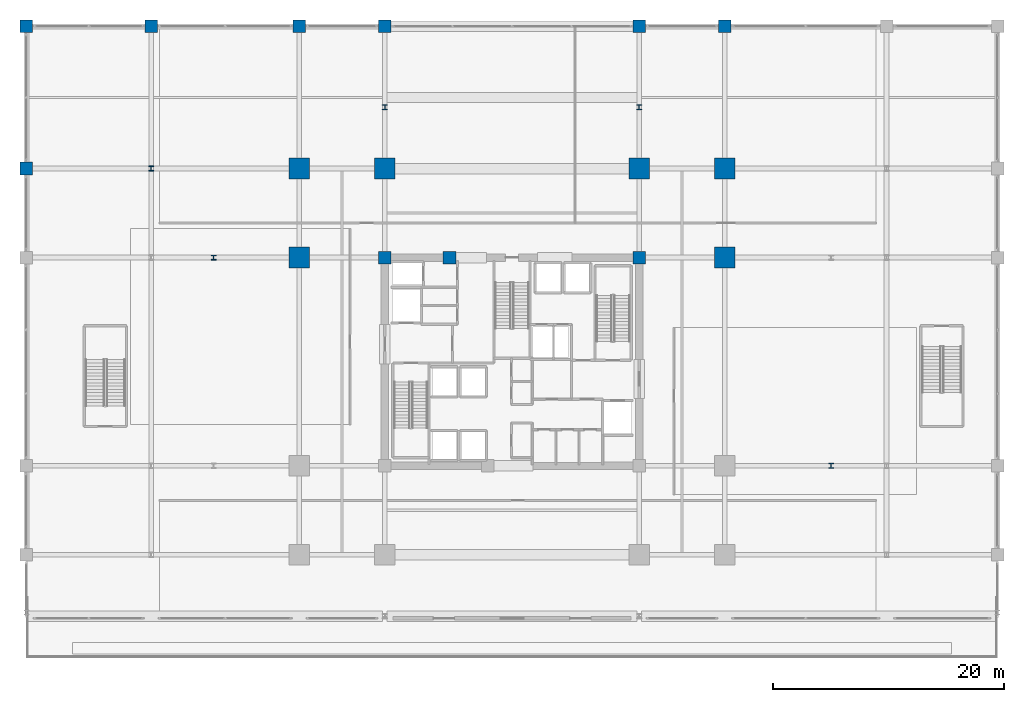
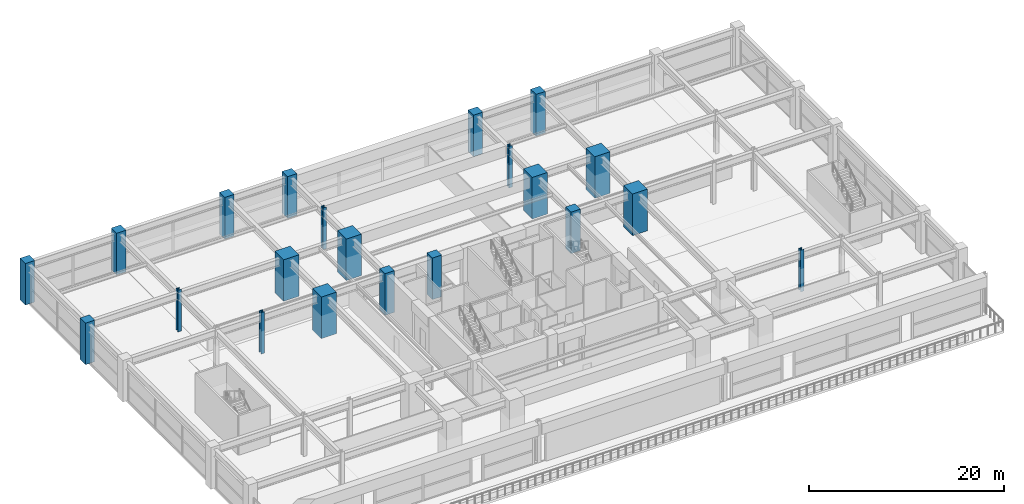
# One storey, part 2 of 43: 21 columns.
"""IFC4 building model written with IfcOpenShell, lengths in metres."""

from ifc_helpers import new_model, si_unit, direction, frame, origin, origin_2d, place, context, subcontext, project, spatial, rectangle, i_section, extrude, material, material_profile, profile_set, type_object, element, save


model = new_model("IFC4")

# Units and contexts
model_context = context("Model", 3, precision=1e-05, world=origin(), true_north=direction((0.0, 1.0)))
body_context = subcontext(model_context, "Body", "Model", "MODEL_VIEW")
ifc_project = project(units=[si_unit("LENGTHUNIT", "METRE"), si_unit("AREAUNIT", "SQUARE_METRE"), si_unit("VOLUMEUNIT", "CUBIC_METRE"), si_unit("PLANEANGLEUNIT", "RADIAN"), si_unit("MASSUNIT", "GRAM", prefix="KILO")], contexts=[model_context])

# Site, building, storey
site_placement = place(None, origin())
site = spatial("IfcSite", under=ifc_project, at=site_placement, CompositionType="ELEMENT")
building_placement = place(site_placement, origin())
building = spatial("IfcBuilding", under=site, at=building_placement, Name="Kovane Verandah Tower", CompositionType="ELEMENT")
storey_placement = place(building_placement, frame((0.0, 0.0, 11.199951171875)))
storey = spatial("IfcBuildingStorey", under=building, at=storey_placement, Name="L02", CompositionType="ELEMENT", Elevation=11.199951171875)

# Columns
ifc_material_1 = material(Name="Concrete C60/75", Category="concrete")
ifc_material_profile_1 = material_profile(ifc_material_1, rectangle(XDim=1.10009765625, YDim=1.10009765625, at=origin_2d()), Name="RC1100x1100")
ifc_profile_set_1 = profile_set([ifc_material_profile_1], Name="Concrete C60/75")
column_type_1 = type_object("IfcColumnType", Name="COL-POD1100", PredefinedType="COLUMN", material=ifc_profile_set_1)
for number, where, z_axis, x_axis, name in (
    (1, (-2.0, 44.199951171875, 0.0), (0.0, 0.0, 1.0), (1.0, 0.0, 0.0), "L02 Podium Column PC-W4"),
    (2, (-2.0, 56.5, 0.0), (0.0, 0.0, 1.0), (1.0, 0.0, 0.0), "L02 Podium Column PC-W5"),
    (3, (8.800048828125, 56.5, 0.0), (0.0, 0.0, 1.0), (1.0, 0.0, 0.0), "L02 Podium Column PC-N1"),
    (4, (21.60009765625, 56.5, 0.0), (0.0, 0.0, 1.0), (1.0, 0.0, 0.0), "L02 Podium Column PC-N2"),
    (5, (29.0, 56.5, 0.0), (0.0, 0.0, 1.0), (1.0, 0.0, 0.0), "L02 Podium Column PC-N3"),
    (6, (51.0, 56.5, 0.0), (0.0, 0.0, 1.0), (1.0, 0.0, 0.0), "L02 Podium Column PC-N4"),
    (7, (58.39990234375, 56.5, 0.0), (0.0, 0.0, 1.0), (1.0, 0.0, 0.0), "L02 Podium Column PC-N5"),
):
    element("IfcColumn", number, at=place(storey_placement, frame(where, z_axis=z_axis, x_axis=x_axis)), inside=storey, type_object=column_type_1, Name=name, PredefinedType="COLUMN", context=body_context, shape_type="SweptSolid", body=[
        extrude(rectangle(XDim=1.10009765625, YDim=1.10009765625, at=origin_2d()), origin(), (0.0, 0.0, 1.0), 5.199951171875),
    ])
ifc_material_2 = material(Name="Concrete C80/95", Category="concrete")
ifc_material_profile_2 = material_profile(ifc_material_2, rectangle(XDim=1.800048828125, YDim=1.800048828125, at=origin_2d()), Name="RC1800x1800")
ifc_profile_set_2 = profile_set([ifc_material_profile_2], Name="Concrete C80/95")
column_type_2 = type_object("IfcColumnType", Name="COL-RC1800", PredefinedType="COLUMN", material=ifc_profile_set_2)
for number, where, z_axis, x_axis, name in (
    (8, (29.0, 44.199951171875, 0.0), (0.0, 0.0, 1.0), (1.0, 0.0, 0.0), "L02 Tower Mega-Column MC-N1"),
    (9, (51.0, 44.199951171875, 0.0), (0.0, 0.0, 1.0), (1.0, 0.0, 0.0), "L02 Tower Mega-Column MC-N2"),
    (10, (21.60009765625, 36.5, 0.0), (0.0, 0.0, 1.0), (1.0, 0.0, 0.0), "L02 Tower Mega-Column MC-W2"),
    (11, (58.39990234375, 36.5, 0.0), (0.0, 0.0, 1.0), (1.0, 0.0, 0.0), "L02 Tower Mega-Column MC-E2"),
    (12, (21.60009765625, 44.199951171875, 0.0), (0.0, 0.0, 1.0), (1.0, 0.0, 0.0), "L02 Tower Mega-Column MC-NW"),
    (13, (58.39990234375, 44.199951171875, 0.0), (0.0, 0.0, 1.0), (1.0, 0.0, 0.0), "L02 Tower Mega-Column MC-NE"),
):
    element("IfcColumn", number, at=place(storey_placement, frame(where, z_axis=z_axis, x_axis=x_axis)), inside=storey, type_object=column_type_2, Name=name, PredefinedType="COLUMN", context=body_context, shape_type="SweptSolid", body=[
        extrude(rectangle(XDim=1.800048828125, YDim=1.800048828125, at=origin_2d()), origin(), (0.0, 0.0, 1.0), 5.199951171875),
    ])
ifc_material_3 = material(Name="Steel S460", Category="steel")
ifc_material_profile_3 = material_profile(ifc_material_3, i_section(OverallWidth=0.412109375, OverallDepth=0.4365234375, WebThickness=0.035888671875, FlangeThickness=0.05810546875, FilletRadius=0.01513671875, at=origin_2d()), Name="UC356x406x467")
ifc_profile_set_3 = profile_set([ifc_material_profile_3], Name="Steel S460")
column_type_3 = type_object("IfcColumnType", Name="COL-UC467", PredefinedType="COLUMN", material=ifc_profile_set_3)
for number, where, z_axis, x_axis, name in (
    (14, (14.199951171875, 36.5, 0.0), (0.0, 0.0, 1.0), (1.0, 0.0, 0.0), "L02 Verandah Perimeter Column VC-W2"),
    (15, (67.60009765625, 18.5, 0.0), (0.0, 0.0, 1.0), (1.0, 0.0, 0.0), "L02 Verandah Perimeter Column VC-E1"),
    (16, (29.0, 49.5, 0.0), (0.0, 0.0, 1.0), (1.0, 0.0, 0.0), "L02 Verandah Perimeter Column VC-N1"),
    (17, (51.0, 49.5, 0.0), (0.0, 0.0, 1.0), (1.0, 0.0, 0.0), "L02 Verandah Perimeter Column VC-N2"),
):
    element("IfcColumn", number, at=place(storey_placement, frame(where, z_axis=z_axis, x_axis=x_axis)), inside=storey, type_object=column_type_3, Name=name, PredefinedType="COLUMN", context=body_context, shape_type="SweptSolid", body=[
        extrude(i_section(OverallWidth=0.412109375, OverallDepth=0.4365234375, WebThickness=0.035888671875, FlangeThickness=0.05810546875, FilletRadius=0.01513671875, at=origin_2d()), origin(), (0.0, 0.0, 1.0), 5.199951171875),
    ])
ifc_material_4 = material(Name="Steel S355", Category="steel")
ifc_material_profile_4 = material_profile(ifc_material_4, i_section(OverallWidth=0.41845703125, OverallDepth=0.45556640625, WebThickness=0.0419921875, FlangeThickness=0.0673828125, FilletRadius=0.01513671875, at=origin_2d()), Name="UC356x406x551")
ifc_profile_set_4 = profile_set([ifc_material_profile_4], Name="Steel S355")
column_type_4 = type_object("IfcColumnType", Name="COL-UC551", PredefinedType="COLUMN", material=ifc_profile_set_4)
column_placement = place(storey_placement, frame((8.800048828125, 44.199951171875, 0.0), z_axis=(0.0, 0.0, 1.0), x_axis=(1.0, 0.0, 0.0)))
element("IfcColumn", 18, at=column_placement, inside=storey, type_object=column_type_4, Name="L02 Podium Column PC-MW4", PredefinedType="COLUMN", context=body_context, shape_type="SweptSolid", body=[
    extrude(i_section(OverallWidth=0.41845703125, OverallDepth=0.45556640625, WebThickness=0.0419921875, FlangeThickness=0.0673828125, FilletRadius=0.01513671875, at=origin_2d()), origin(), (0.0, 0.0, 1.0), 5.199951171875),
])
ifc_material_profile_5 = material_profile(ifc_material_2, rectangle(XDim=1.10009765625, YDim=1.10009765625, at=origin_2d()), Name="RC1100x1100")
ifc_profile_set_5 = profile_set([ifc_material_profile_5], Name="Concrete C80/95")
column_type_5 = type_object("IfcColumnType", Name="PIL-RC1100", PredefinedType="PILASTER", material=ifc_profile_set_5)
for number, where, z_axis, x_axis, name in (
    (19, (29.0, 36.5, 0.0), (0.0, 0.0, 1.0), (1.0, 0.0, 0.0), "L02 Core Pilaster CP-NW"),
    (20, (51.0, 36.5, 0.0), (0.0, 0.0, 1.0), (1.0, 0.0, 0.0), "L02 Core Pilaster CP-NE"),
    (21, (34.60009765625, 36.5, 0.0), (0.0, 0.0, 1.0), (1.0, 0.0, 0.0), "L02 Core Pilaster CP-N"),
):
    element("IfcColumn", number, at=place(storey_placement, frame(where, z_axis=z_axis, x_axis=x_axis)), inside=storey, type_object=column_type_5, Name=name, PredefinedType="PILASTER", context=body_context, shape_type="SweptSolid", body=[
        extrude(rectangle(XDim=1.10009765625, YDim=1.10009765625, at=origin_2d()), origin(), (0.0, 0.0, 1.0), 5.199951171875),
    ])

save(model, "model.ifc")
